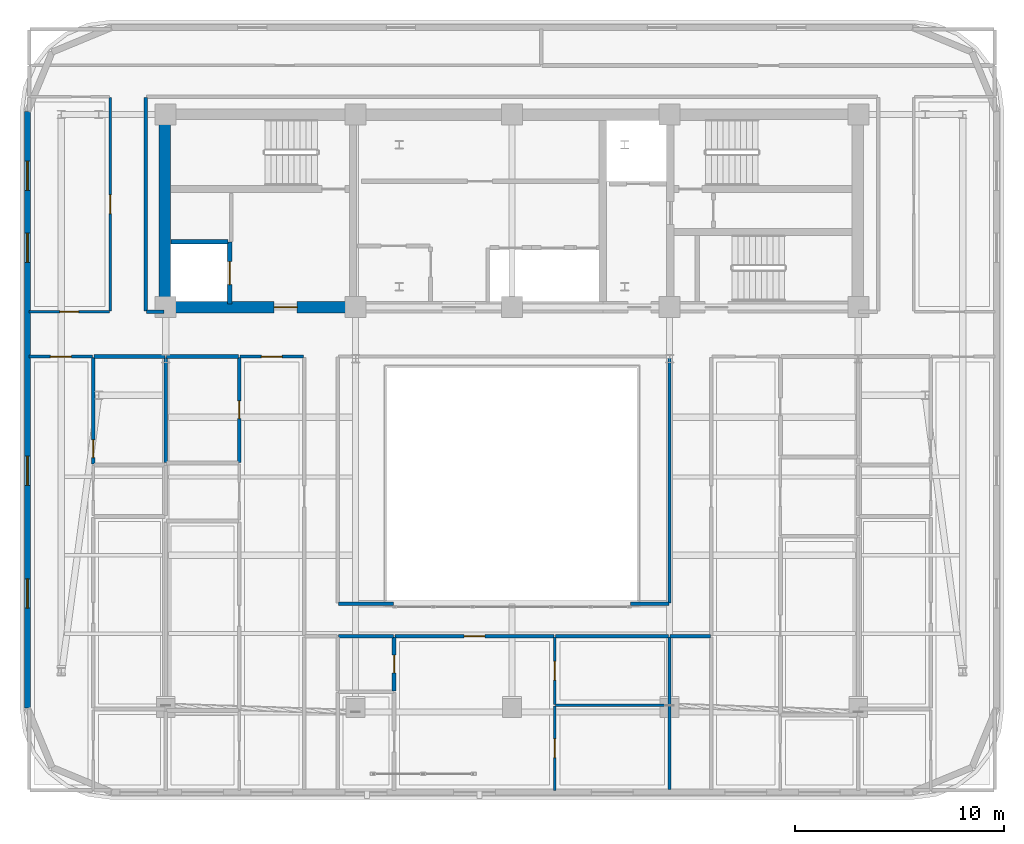
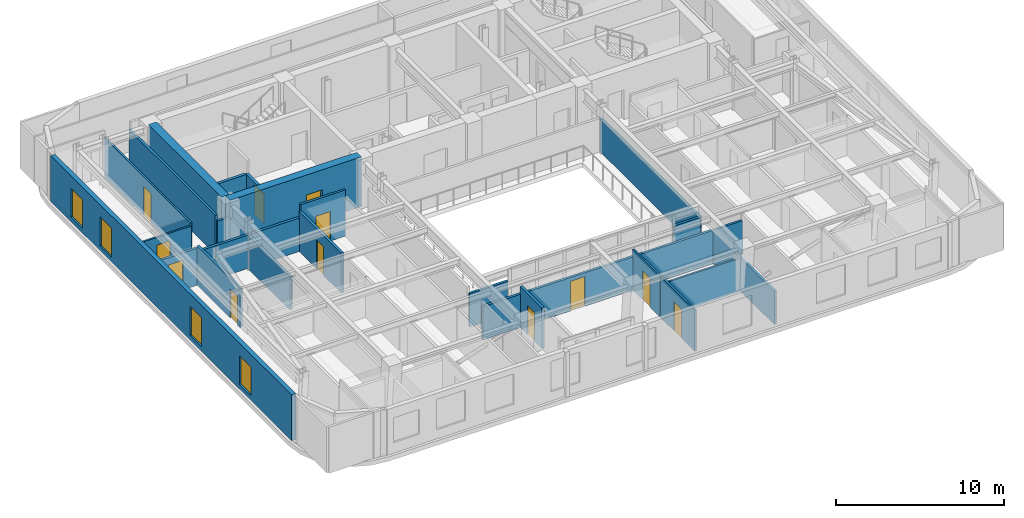
# One storey, part 7 of 14: 29 walls, 12 doors, 4 windows, 16 openings.
"""IFC4 building model written with IfcOpenShell, lengths in metres."""

from ifc_helpers import new_model, si_unit, direction, frame, frame_2d, origin, place, context, subcontext, project, spatial, rectangle, extrude, material, layer, layer_set, type_object, element, fill, save


model = new_model("IFC4")

# Units and contexts
model_context = context("Model", 3, precision=1e-05, world=origin(), true_north=direction((0.0, 1.0)))
body_context = subcontext(model_context, "Body", "Model", "MODEL_VIEW")
ifc_project = project(units=[si_unit("LENGTHUNIT", "METRE"), si_unit("AREAUNIT", "SQUARE_METRE"), si_unit("VOLUMEUNIT", "CUBIC_METRE"), si_unit("PLANEANGLEUNIT", "RADIAN"), si_unit("MASSUNIT", "GRAM", prefix="KILO")], contexts=[model_context])

# Site, building, storey
site_placement = place(None, origin())
site = spatial("IfcSite", under=ifc_project, at=site_placement, CompositionType="ELEMENT")
building_placement = place(site_placement, origin())
building = spatial("IfcBuilding", under=site, at=building_placement, Name="Zarnavel Station Tower", CompositionType="ELEMENT")
storey_placement = place(building_placement, frame((0.0, 0.0, 193.199951171875)))
storey = spatial("IfcBuildingStorey", under=building, at=storey_placement, Name="L52", CompositionType="ELEMENT", Elevation=193.199951171875)

# Wall, opening, door
ifc_material_1 = material(Name="Concrete C50/60", Category="concrete")
ifc_layer_1 = layer(ifc_material_1, 0.550048828125)
ifc_layer_set_1 = layer_set([ifc_layer_1], Name="CW_550")
wall_type_1 = type_object("IfcWallType", Name="CW_550", PredefinedType="SHEAR", material=ifc_layer_set_1)
wall_1_placement = place(storey_placement, frame((21.179931640625, 27.820068359375, 0.0), z_axis=(0.0, 0.0, 1.0), x_axis=(-1.0, 0.0, 0.0)))
wall_1 = element("IfcWall", 1, at=wall_1_placement, inside=storey, type_object=wall_type_1, Name="L52 Rear Core Shear Wall S-W", PredefinedType="SHEAR", context=body_context, shape_type="SweptSolid", body=[
    extrude(rectangle(XDim=9.030029296875, YDim=0.550048828125, at=frame_2d((4.51513671875, 0.0))), origin(), (0.0, 0.0, 1.0), 3.60009765625),
])
opening_1_placement = place(wall_1_placement, frame((2.679931640625, 0.0, 0.0)))
opening_1 = element("IfcOpeningElement", 2, at=opening_1_placement, cuts=wall_1, Name="Opening FD01", PredefinedType="OPENING", context=body_context, shape_type="SweptSolid", body=[
    extrude(rectangle(XDim=1.10009765625, YDim=2.14990234375, at=frame_2d((0.550048828125, 1.074951171875))), frame((0.0, 0.284912109375, 0.0), z_axis=(0.0, -1.0, 0.0), x_axis=(1.0, 0.0, 0.0)), (0.0, 0.0, 1.0), 0.570068359375),
])
ifc_material_2 = material(Name="Painted Galvanised Steel and Hardwood Leaf", Category="steel")
door_type_1 = type_object("IfcDoorType", Name="ID_STAIR_1100", OperationType="NOTDEFINED", PredefinedType="DOOR", material=ifc_material_2)
door_1_placement = place(opening_1_placement, origin())
door_1 = element("IfcDoor", 3, at=door_1_placement, inside=storey, type_object=door_type_1, Name="L52 West Firefighting Lobby Door", OperationType="SINGLE_SWING_RIGHT", OverallHeight=2.14990234375, OverallWidth=1.10009765625, PredefinedType="DOOR", context=body_context, shape_type="SweptSolid", body=[
    extrude(rectangle(XDim=1.10009765625, YDim=2.14990234375, at=frame_2d((0.550048828125, 1.074951171875))), frame((0.0, 0.02490234375, 0.0), z_axis=(0.0, -1.0, 0.0), x_axis=(1.0, 0.0, 0.0)), (0.0, 0.0, 1.0), 0.050048828125),
])
fill(opening_1, door_1)

# Wall
wall_2_placement = place(storey_placement, frame((12.14990234375, 28.094970703125, 0.0), z_axis=(0.0, 0.0, 1.0), x_axis=(0.0, 1.0, 0.0)))
element("IfcWall", 4, at=wall_2_placement, inside=storey, type_object=wall_type_1, Name="L52 Rear Core Shear Wall W", PredefinedType="SHEAR", context=body_context, shape_type="SweptSolid", body=[
    extrude(rectangle(XDim=8.679931640625, YDim=0.550048828125, at=frame_2d((4.33984375, 0.0))), origin(), (0.0, 0.0, 1.0), 3.60009765625),
])

# Wall, openings, windows
ifc_material_3 = material(Name="Precast concrete C45/55 (Dark Basalt Finish)", Category="masonry")
ifc_layer_2 = layer(ifc_material_3, 0.300048828125)
ifc_layer_set_2 = layer_set([ifc_layer_2], Name="EW_BASALT_300")
wall_type_2 = type_object("IfcWallType", Name="EW_BASALT_300", PredefinedType="SOLIDWALL", material=ifc_layer_set_2)
wall_3_placement = place(storey_placement, frame((5.580078125, 8.60009765625, 0.0), z_axis=(0.0, 0.0, 1.0), x_axis=(0.0, 1.0, 0.0)))
wall_3 = element("IfcWall", 5, at=wall_3_placement, inside=storey, type_object=wall_type_2, Name="L52 Exterior Basalt Masonry Frame Wall 09", PredefinedType="SOLIDWALL", context=body_context, shape_type="SweptSolid", body=[
    extrude(rectangle(XDim=28.599853515625, YDim=0.300048828125, at=frame_2d((14.2998046875, 0.0))), origin(), (0.0, 0.0, 1.0), 3.340087890625),
])
opening_2_placement = place(wall_3_placement, frame((21.360107421875, 0.0, 0.340087890625)))
opening_2 = element("IfcOpeningElement", 6, at=opening_2_placement, cuts=wall_3, Name="Opening WN04", PredefinedType="OPENING", context=body_context, shape_type="SweptSolid", body=[
    extrude(rectangle(XDim=1.39990234375, YDim=2.10009765625, at=frame_2d((0.699951171875, 1.050048828125))), frame((0.0, 0.159912109375, 0.0), z_axis=(0.0, -1.0, 0.0), x_axis=(1.0, 0.0, 0.0)), (0.0, 0.0, 1.0), 0.320068359375),
])
opening_3_placement = place(wall_3_placement, frame((24.820068359375, 0.0, 0.340087890625)))
opening_3 = element("IfcOpeningElement", 7, at=opening_3_placement, cuts=wall_3, Name="Opening WN04", PredefinedType="OPENING", context=body_context, shape_type="SweptSolid", body=[
    extrude(rectangle(XDim=1.39990234375, YDim=2.10009765625, at=frame_2d((0.699951171875, 1.050048828125))), frame((0.0, 0.159912109375, 0.0), z_axis=(0.0, -1.0, 0.0), x_axis=(1.0, 0.0, 0.0)), (0.0, 0.0, 1.0), 0.320068359375),
])
opening_4_placement = place(wall_3_placement, frame((4.796630859375, 0.0, 0.340087890625)))
opening_4 = element("IfcOpeningElement", 8, at=opening_4_placement, cuts=wall_3, Name="Opening WN04", PredefinedType="OPENING", context=body_context, shape_type="SweptSolid", body=[
    extrude(rectangle(XDim=1.39990234375, YDim=2.10009765625, at=frame_2d((0.699951171875, 1.050048828125))), frame((0.0, 0.159912109375, 0.0), z_axis=(0.0, -1.0, 0.0), x_axis=(1.0, 0.0, 0.0)), (0.0, 0.0, 1.0), 0.320068359375),
])
opening_5_placement = place(wall_3_placement, frame((10.67333984375, 0.0, 0.340087890625)))
opening_5 = element("IfcOpeningElement", 9, at=opening_5_placement, cuts=wall_3, Name="Opening WN04", PredefinedType="OPENING", context=body_context, shape_type="SweptSolid", body=[
    extrude(rectangle(XDim=1.39990234375, YDim=2.10009765625, at=frame_2d((0.699951171875, 1.050048828125))), frame((0.0, 0.159912109375, 0.0), z_axis=(0.0, -1.0, 0.0), x_axis=(1.0, 0.0, 0.0)), (0.0, 0.0, 1.0), 0.320068359375),
])
ifc_material_4 = material(Name="Thermally Broken Black Aluminium and Low-E Dark Glass", Category="aluminium")
window_type = type_object("IfcWindowType", Name="WN_1400x2100", PartitioningType="DOUBLE_PANEL_VERTICAL", PredefinedType="WINDOW", material=ifc_material_4)
window_1_placement = place(opening_2_placement, origin())
window_1 = element("IfcWindow", 10, at=window_1_placement, inside=storey, type_object=window_type, Name="L52 Recessed Facade Window 01", OverallHeight=2.10009765625, OverallWidth=1.39990234375, PartitioningType="SINGLE_PANEL", PredefinedType="WINDOW", context=body_context, shape_type="SweptSolid", body=[
    extrude(rectangle(XDim=1.39990234375, YDim=2.10009765625, at=frame_2d((0.699951171875, 1.050048828125))), frame((0.0, 0.030029296875, 0.0), z_axis=(0.0, -1.0, 0.0), x_axis=(1.0, 0.0, 0.0)), (0.0, 0.0, 1.0), 0.06005859375),
])
fill(opening_2, window_1)
window_2_placement = place(opening_3_placement, origin())
window_2 = element("IfcWindow", 11, at=window_2_placement, inside=storey, type_object=window_type, Name="L52 Recessed Facade Window 02", OverallHeight=2.10009765625, OverallWidth=1.39990234375, PartitioningType="SINGLE_PANEL", PredefinedType="WINDOW", context=body_context, shape_type="SweptSolid", body=[
    extrude(rectangle(XDim=1.39990234375, YDim=2.10009765625, at=frame_2d((0.699951171875, 1.050048828125))), frame((0.0, 0.030029296875, 0.0), z_axis=(0.0, -1.0, 0.0), x_axis=(1.0, 0.0, 0.0)), (0.0, 0.0, 1.0), 0.06005859375),
])
fill(opening_3, window_2)
window_3_placement = place(opening_4_placement, origin())
window_3 = element("IfcWindow", 12, at=window_3_placement, inside=storey, type_object=window_type, Name="L52 Recessed Facade Window 03", OverallHeight=2.10009765625, OverallWidth=1.39990234375, PartitioningType="SINGLE_PANEL", PredefinedType="WINDOW", context=body_context, shape_type="SweptSolid", body=[
    extrude(rectangle(XDim=1.39990234375, YDim=2.10009765625, at=frame_2d((0.699951171875, 1.050048828125))), frame((0.0, 0.030029296875, 0.0), z_axis=(0.0, -1.0, 0.0), x_axis=(1.0, 0.0, 0.0)), (0.0, 0.0, 1.0), 0.06005859375),
])
fill(opening_4, window_3)
window_4_placement = place(opening_5_placement, origin())
window_4 = element("IfcWindow", 13, at=window_4_placement, inside=storey, type_object=window_type, Name="L52 Recessed Facade Window 04", OverallHeight=2.10009765625, OverallWidth=1.39990234375, PartitioningType="SINGLE_PANEL", PredefinedType="WINDOW", context=body_context, shape_type="SweptSolid", body=[
    extrude(rectangle(XDim=1.39990234375, YDim=2.10009765625, at=frame_2d((0.699951171875, 1.050048828125))), frame((0.0, 0.030029296875, 0.0), z_axis=(0.0, -1.0, 0.0), x_axis=(1.0, 0.0, 0.0)), (0.0, 0.0, 1.0), 0.06005859375),
])
fill(opening_5, window_4)

# Wall, opening, door
ifc_material_5 = material(Name="Gypsum Twin-Stud Acoustic Fire Partition", Category="concrete")
ifc_layer_3 = layer(ifc_material_5, 0.159912109375)
ifc_layer_set_3 = layer_set([ifc_layer_3], Name="PT_DEMISE_160")
wall_type_3 = type_object("IfcWallType", Name="PT_DEMISE_160", PredefinedType="PARTITIONING", material=ifc_layer_set_3)
wall_4_placement = place(storey_placement, frame((5.659912109375, 25.449951171875, 0.0), z_axis=(0.0, 0.0, 1.0), x_axis=(1.0, 0.0, 0.0)))
wall_4 = element("IfcWall", 14, at=wall_4_placement, inside=storey, type_object=wall_type_3, Name="L52 Partition COR-S-UW1LV", PredefinedType="PARTITIONING", context=body_context, shape_type="SweptSolid", body=[
    extrude(rectangle(XDim=3.0341796875, YDim=0.159912109375, at=frame_2d((1.51708984375, 0.0))), origin(), (0.0, 0.0, 1.0), 2.670166015625),
])
opening_6_placement = place(wall_4_placement, frame((1.01708984375, 0.0, 0.0)))
opening_6 = element("IfcOpeningElement", 15, at=opening_6_placement, cuts=wall_4, Name="Opening FD02", PredefinedType="OPENING", context=body_context, shape_type="SweptSolid", body=[
    extrude(rectangle(XDim=1.0, YDim=2.14990234375, at=frame_2d((0.5, 1.074951171875))), frame((0.0, 0.08984375, 0.0), z_axis=(0.0, -1.0, 0.0), x_axis=(1.0, 0.0, 0.0)), (0.0, 0.0, 1.0), 0.179931640625),
])
ifc_material_6 = material(Name="Painted Galvanised Steel and Hardwood Leaf", Category="steel")
door_type_2 = type_object("IfcDoorType", Name="ID_ENTRY_1000", OperationType="NOTDEFINED", PredefinedType="DOOR", material=ifc_material_6)
door_2_placement = place(opening_6_placement, origin())
door_2 = element("IfcDoor", 16, at=door_2_placement, inside=storey, type_object=door_type_2, Name="L52 Door COR-S-UW1LV", OperationType="SINGLE_SWING_RIGHT", OverallHeight=2.14990234375, OverallWidth=1.0, PredefinedType="DOOR", context=body_context, shape_type="SweptSolid", body=[
    extrude(rectangle(XDim=1.0, YDim=2.14990234375, at=frame_2d((0.5, 1.074951171875))), frame((0.0, 0.02490234375, 0.0), z_axis=(0.0, -1.0, 0.0), x_axis=(1.0, 0.0, 0.0)), (0.0, 0.0, 1.0), 0.050048828125),
])
fill(opening_6, door_2)

wall_5_placement = place(storey_placement, frame((15.764892578125, 25.449951171875, 0.0), z_axis=(0.0, 0.0, 1.0), x_axis=(1.0, 0.0, 0.0)))
wall_5 = element("IfcWall", 17, at=wall_5_placement, inside=storey, type_object=wall_type_3, Name="L52 Partition COR-S-UW2LV", PredefinedType="PARTITIONING", context=body_context, shape_type="SweptSolid", body=[
    extrude(rectangle(XDim=3.045166015625, YDim=0.159912109375, at=frame_2d((1.5224609375, 0.0))), origin(), (0.0, 0.0, 1.0), 3.340087890625),
])
opening_7_placement = place(wall_5_placement, frame((1.0224609375, 0.0, 0.0)))
opening_7 = element("IfcOpeningElement", 18, at=opening_7_placement, cuts=wall_5, Name="Opening FD02", PredefinedType="OPENING", context=body_context, shape_type="SweptSolid", body=[
    extrude(rectangle(XDim=1.0, YDim=2.14990234375, at=frame_2d((0.5, 1.074951171875))), frame((0.0, 0.08984375, 0.0), z_axis=(0.0, -1.0, 0.0), x_axis=(1.0, 0.0, 0.0)), (0.0, 0.0, 1.0), 0.179931640625),
])
door_3_placement = place(opening_7_placement, origin())
door_3 = element("IfcDoor", 19, at=door_3_placement, inside=storey, type_object=door_type_2, Name="L52 Door COR-S-UW2LV", OperationType="SINGLE_SWING_LEFT", OverallHeight=2.14990234375, OverallWidth=1.0, PredefinedType="DOOR", context=body_context, shape_type="SweptSolid", body=[
    extrude(rectangle(XDim=1.0, YDim=2.14990234375, at=frame_2d((0.5, 1.074951171875))), frame((0.0, 0.02490234375, 0.0), z_axis=(0.0, -1.0, 0.0), x_axis=(1.0, 0.0, 0.0)), (0.0, 0.0, 1.0), 0.050048828125),
])
fill(opening_7, door_3)

wall_6_placement = place(storey_placement, frame((23.18994140625, 12.050048828125, 0.0), z_axis=(0.0, 0.0, 1.0), x_axis=(1.0, 0.0, 0.0)))
wall_6 = element("IfcWall", 20, at=wall_6_placement, inside=storey, type_object=wall_type_3, Name="L52 Partition COR-AS-US1LV", PredefinedType="PARTITIONING", context=body_context, shape_type="SweptSolid", body=[
    extrude(rectangle(XDim=7.6201171875, YDim=0.159912109375, at=frame_2d((3.81005859375, 0.0))), origin(), (0.0, 0.0, 1.0), 2.420166015625),
])
opening_8_placement = place(wall_6_placement, frame((3.31005859375, 0.0, 0.0)))
opening_8 = element("IfcOpeningElement", 21, at=opening_8_placement, cuts=wall_6, Name="Opening FD02", PredefinedType="OPENING", context=body_context, shape_type="SweptSolid", body=[
    extrude(rectangle(XDim=1.0, YDim=2.14990234375, at=frame_2d((0.5, 1.074951171875))), frame((0.0, 0.08984375, 0.0), z_axis=(0.0, -1.0, 0.0), x_axis=(1.0, 0.0, 0.0)), (0.0, 0.0, 1.0), 0.179931640625),
])
door_4_placement = place(opening_8_placement, origin())
door_4 = element("IfcDoor", 22, at=door_4_placement, inside=storey, type_object=door_type_2, Name="L52 Door COR-AS-US1LV", OperationType="SINGLE_SWING_RIGHT", OverallHeight=2.14990234375, OverallWidth=1.0, PredefinedType="DOOR", context=body_context, shape_type="SweptSolid", body=[
    extrude(rectangle(XDim=1.0, YDim=2.14990234375, at=frame_2d((0.5, 1.074951171875))), frame((0.0, 0.02490234375, 0.0), z_axis=(0.0, -1.0, 0.0), x_axis=(1.0, 0.0, 0.0)), (0.0, 0.0, 1.0), 0.050048828125),
])
fill(opening_8, door_4)

# Walls
wall_7_placement = place(storey_placement, frame((30.889892578125, 12.050048828125, 0.0), z_axis=(0.0, 0.0, 1.0), x_axis=(1.0, 0.0, 0.0)))
element("IfcWall", 23, at=wall_7_placement, inside=storey, type_object=wall_type_3, Name="L52 Partition COR-AS-US1B2", PredefinedType="PARTITIONING", context=body_context, shape_type="SweptSolid", body=[
    extrude(rectangle(XDim=5.420166015625, YDim=0.159912109375, at=frame_2d((2.7099609375, 0.0))), origin(), (0.0, 0.0, 1.0), 2.420166015625),
])
wall_8_placement = place(storey_placement, frame((11.280029296875, 27.60009765625, 0.0), z_axis=(0.0, 0.0, 1.0), x_axis=(1.0, 0.0, 0.0)))
element("IfcWall", 24, at=wall_8_placement, inside=storey, type_object=wall_type_3, Name="L52 Enclosure Wall COR-S", PredefinedType="PARTITIONING", context=body_context, shape_type="SweptSolid", body=[
    extrude(rectangle(XDim=0.840087890625, YDim=0.159912109375, at=frame_2d((0.419921875, 0.0))), origin(), (0.0, 0.0, 1.0), 2.41015625),
])
wall_9_placement = place(storey_placement, frame((36.3798828125, 12.050048828125, 0.0), z_axis=(0.0, 0.0, 1.0), x_axis=(1.0, 0.0, 0.0)))
element("IfcWall", 25, at=wall_9_placement, inside=storey, type_object=wall_type_3, Name="L52 Enclosure Wall COR-AE", PredefinedType="PARTITIONING", context=body_context, shape_type="SweptSolid", body=[
    extrude(rectangle(XDim=1.940185546875, YDim=0.159912109375, at=frame_2d((0.97021484375, 0.0))), origin(), (0.0, 0.0, 1.0), 2.420166015625),
])
wall_10_placement = place(storey_placement, frame((36.35009765625, 13.6298828125, 0.0), z_axis=(0.0, 0.0, 1.0), x_axis=(0.0, 1.0, 0.0)))
element("IfcWall", 26, at=wall_10_placement, inside=storey, type_object=wall_type_3, Name="L52 Enclosure Wall COR-AE", PredefinedType="PARTITIONING", context=body_context, shape_type="SweptSolid", body=[
    extrude(rectangle(XDim=11.7900390625, YDim=0.159912109375, at=frame_2d((5.89501953125, 0.0))), origin(), (0.0, 0.0, 1.0), 2.420166015625),
])
wall_11_placement = place(storey_placement, frame((20.47998046875, 13.60009765625, 0.0), z_axis=(0.0, 0.0, 1.0), x_axis=(1.0, 0.0, 0.0)))
element("IfcWall", 27, at=wall_11_placement, inside=storey, type_object=wall_type_3, Name="L52 Enclosure Wall COR-AS", PredefinedType="PARTITIONING", context=body_context, shape_type="SweptSolid", body=[
    extrude(rectangle(XDim=2.64013671875, YDim=0.159912109375, at=frame_2d((1.320068359375, 0.0))), origin(), (0.0, 0.0, 1.0), 2.420166015625),
])
wall_12_placement = place(storey_placement, frame((34.47998046875, 13.60009765625, 0.0), z_axis=(0.0, 0.0, 1.0), x_axis=(1.0, 0.0, 0.0)))
element("IfcWall", 28, at=wall_12_placement, inside=storey, type_object=wall_type_3, Name="L52 Enclosure Wall COR-AS", PredefinedType="PARTITIONING", context=body_context, shape_type="SweptSolid", body=[
    extrude(rectangle(XDim=1.840087890625, YDim=0.159912109375, at=frame_2d((0.919921875, 0.0))), origin(), (0.0, 0.0, 1.0), 2.420166015625),
])
wall_13_placement = place(storey_placement, frame((11.25, 27.6298828125, 0.0), z_axis=(0.0, 0.0, 1.0), x_axis=(0.0, 1.0, 0.0)))
element("IfcWall", 29, at=wall_13_placement, inside=storey, type_object=wall_type_3, Name="L52 Enclosure Wall COR-W", PredefinedType="PARTITIONING", context=body_context, shape_type="SweptSolid", body=[
    extrude(rectangle(XDim=10.240234375, YDim=0.159912109375, at=frame_2d((5.1201171875, 0.0))), origin(), (0.0, 0.0, 1.0), 2.820068359375),
])
wall_14_placement = place(storey_placement, frame((36.35009765625, 4.68994140625, 0.0), z_axis=(0.0, 0.0, 1.0), x_axis=(0.0, 1.0, 0.0)))
element("IfcWall", 30, at=wall_14_placement, inside=storey, type_object=wall_type_3, Name="L52 Enclosure Wall US1B1", PredefinedType="PARTITIONING", context=body_context, shape_type="SweptSolid", body=[
    extrude(rectangle(XDim=4.01513671875, YDim=0.159912109375, at=frame_2d((2.007568359375, 0.0))), origin(), (0.0, 0.0, 1.0), 2.420166015625),
])
wall_15_placement = place(storey_placement, frame((36.35009765625, 8.764892578125, 0.0), z_axis=(0.0, 0.0, 1.0), x_axis=(0.0, 1.0, 0.0)))
element("IfcWall", 31, at=wall_15_placement, inside=storey, type_object=wall_type_3, Name="L52 Enclosure Wall US1B2", PredefinedType="PARTITIONING", context=body_context, shape_type="SweptSolid", body=[
    extrude(rectangle(XDim=3.255126953125, YDim=0.159912109375, at=frame_2d((1.62744140625, 0.0))), origin(), (0.0, 0.0, 1.0), 2.420166015625),
])

# Wall, opening, door
ifc_material_7 = material(Name="Gypsum Metal-Stud Interior Partition", Category="concrete")
ifc_layer_4 = layer(ifc_material_7, 0.1201171875)
ifc_layer_set_4 = layer_set([ifc_layer_4], Name="PT_ROOM_120")
wall_type_4 = type_object("IfcWallType", Name="PT_ROOM_120", PredefinedType="PARTITIONING", material=ifc_layer_set_4)
wall_16_placement = place(storey_placement, frame((5.659912109375, 27.60009765625, 0.0), z_axis=(0.0, 0.0, 1.0), x_axis=(1.0, 0.0, 0.0)))
wall_16 = element("IfcWall", 32, at=wall_16_placement, inside=storey, type_object=wall_type_4, Name="L52 Partition COR-S-FNW", PredefinedType="PARTITIONING", context=body_context, shape_type="SweptSolid", body=[
    extrude(rectangle(XDim=3.85009765625, YDim=0.1201171875, at=frame_2d((1.925048828125, 0.0))), origin(), (0.0, 0.0, 1.0), 2.670166015625),
])
opening_9_placement = place(wall_16_placement, frame((1.47509765625, 0.0, 0.0)))
opening_9 = element("IfcOpeningElement", 33, at=opening_9_placement, cuts=wall_16, Name="Opening ID01", PredefinedType="OPENING", context=body_context, shape_type="SweptSolid", body=[
    extrude(rectangle(XDim=0.89990234375, YDim=2.10009765625, at=frame_2d((0.449951171875, 1.050048828125))), frame((0.0, 0.070068359375, 0.0), z_axis=(0.0, -1.0, 0.0), x_axis=(1.0, 0.0, 0.0)), (0.0, 0.0, 1.0), 0.14013671875),
])
ifc_material_8 = material(Name="Painted Galvanised Steel and Hardwood Leaf", Category="steel")
door_type_3 = type_object("IfcDoorType", Name="ID_ROOM_900", OperationType="NOTDEFINED", PredefinedType="DOOR", material=ifc_material_8)
door_5_placement = place(opening_9_placement, origin())
door_5 = element("IfcDoor", 34, at=door_5_placement, inside=storey, type_object=door_type_3, Name="L52 Door COR-S-FNW", OperationType="SINGLE_SWING_RIGHT", OverallHeight=2.10009765625, OverallWidth=0.89990234375, PredefinedType="DOOR", context=body_context, shape_type="SweptSolid", body=[
    extrude(rectangle(XDim=0.89990234375, YDim=2.10009765625, at=frame_2d((0.449951171875, 1.050048828125))), frame((0.0, 0.02490234375, 0.0), z_axis=(0.0, -1.0, 0.0), x_axis=(1.0, 0.0, 0.0)), (0.0, 0.0, 1.0), 0.050048828125),
])
fill(opening_9, door_5)

wall_17_placement = place(storey_placement, frame((9.550048828125, 27.639892578125, 0.0), z_axis=(0.0, 0.0, 1.0), x_axis=(0.0, 1.0, 0.0)))
wall_17 = element("IfcWall", 35, at=wall_17_placement, inside=storey, type_object=wall_type_4, Name="L52 Partition COR-W-FNW", PredefinedType="PARTITIONING", context=body_context, shape_type="SweptSolid", body=[
    extrude(rectangle(XDim=10.22021484375, YDim=0.1201171875, at=frame_2d((5.110107421875, 0.0))), origin(), (0.0, 0.0, 1.0), 2.820068359375),
])
opening_10_placement = place(wall_17_placement, frame((4.659912109375, 0.0, 0.0)))
opening_10 = element("IfcOpeningElement", 36, at=opening_10_placement, cuts=wall_17, Name="Opening ID01", PredefinedType="OPENING", context=body_context, shape_type="SweptSolid", body=[
    extrude(rectangle(XDim=0.89990234375, YDim=2.10009765625, at=frame_2d((0.449951171875, 1.050048828125))), frame((0.0, 0.070068359375, 0.0), z_axis=(0.0, -1.0, 0.0), x_axis=(1.0, 0.0, 0.0)), (0.0, 0.0, 1.0), 0.14013671875),
])
door_6_placement = place(opening_10_placement, origin())
door_6 = element("IfcDoor", 37, at=door_6_placement, inside=storey, type_object=door_type_3, Name="L52 Door COR-W-FNW", OperationType="SINGLE_SWING_LEFT", OverallHeight=2.10009765625, OverallWidth=0.89990234375, PredefinedType="DOOR", context=body_context, shape_type="SweptSolid", body=[
    extrude(rectangle(XDim=0.89990234375, YDim=2.10009765625, at=frame_2d((0.449951171875, 1.050048828125))), frame((0.0, 0.02490234375, 0.0), z_axis=(0.0, -1.0, 0.0), x_axis=(1.0, 0.0, 0.0)), (0.0, 0.0, 1.0), 0.050048828125),
])
fill(opening_10, door_6)

wall_18_placement = place(storey_placement, frame((30.85009765625, 4.659912109375, 0.0), z_axis=(0.0, 0.0, 1.0), x_axis=(0.0, 1.0, 0.0)))
wall_18 = element("IfcWall", 38, at=wall_18_placement, inside=storey, type_object=wall_type_4, Name="L52 Partition US1LV-US1B1", PredefinedType="PARTITIONING", context=body_context, shape_type="SweptSolid", body=[
    extrude(rectangle(XDim=4.03515625, YDim=0.1201171875, at=frame_2d((2.017578125, 0.0))), origin(), (0.0, 0.0, 1.0), 3.0),
])
opening_11_placement = place(wall_18_placement, frame((1.5673828125, 0.0, 0.0)))
opening_11 = element("IfcOpeningElement", 39, at=opening_11_placement, cuts=wall_18, Name="Opening ID01", PredefinedType="OPENING", context=body_context, shape_type="SweptSolid", body=[
    extrude(rectangle(XDim=0.89990234375, YDim=2.10009765625, at=frame_2d((0.449951171875, 1.050048828125))), frame((0.0, 0.070068359375, 0.0), z_axis=(0.0, -1.0, 0.0), x_axis=(1.0, 0.0, 0.0)), (0.0, 0.0, 1.0), 0.14013671875),
])
door_7_placement = place(opening_11_placement, origin())
door_7 = element("IfcDoor", 40, at=door_7_placement, inside=storey, type_object=door_type_3, Name="L52 Door US1LV-US1B1", OperationType="SINGLE_SWING_LEFT", OverallHeight=2.10009765625, OverallWidth=0.89990234375, PredefinedType="DOOR", context=body_context, shape_type="SweptSolid", body=[
    extrude(rectangle(XDim=0.89990234375, YDim=2.10009765625, at=frame_2d((0.449951171875, 1.050048828125))), frame((0.0, 0.02490234375, 0.0), z_axis=(0.0, -1.0, 0.0), x_axis=(1.0, 0.0, 0.0)), (0.0, 0.0, 1.0), 0.050048828125),
])
fill(opening_11, door_7)

wall_19_placement = place(storey_placement, frame((30.85009765625, 8.77490234375, 0.0), z_axis=(0.0, 0.0, 1.0), x_axis=(0.0, 1.0, 0.0)))
wall_19 = element("IfcWall", 41, at=wall_19_placement, inside=storey, type_object=wall_type_4, Name="L52 Partition US1LV-US1B2", PredefinedType="PARTITIONING", context=body_context, shape_type="SweptSolid", body=[
    extrude(rectangle(XDim=3.235107421875, YDim=0.1201171875, at=frame_2d((1.61767578125, 0.0))), origin(), (0.0, 0.0, 1.0), 2.9599609375),
])
opening_12_placement = place(wall_19_placement, frame((1.16748046875, 0.0, 0.0)))
opening_12 = element("IfcOpeningElement", 42, at=opening_12_placement, cuts=wall_19, Name="Opening ID01", PredefinedType="OPENING", context=body_context, shape_type="SweptSolid", body=[
    extrude(rectangle(XDim=0.89990234375, YDim=2.10009765625, at=frame_2d((0.449951171875, 1.050048828125))), frame((0.0, 0.070068359375, 0.0), z_axis=(0.0, -1.0, 0.0), x_axis=(1.0, 0.0, 0.0)), (0.0, 0.0, 1.0), 0.14013671875),
])
door_8_placement = place(opening_12_placement, origin())
door_8 = element("IfcDoor", 43, at=door_8_placement, inside=storey, type_object=door_type_3, Name="L52 Door US1LV-US1B2", OperationType="SINGLE_SWING_RIGHT", OverallHeight=2.10009765625, OverallWidth=0.89990234375, PredefinedType="DOOR", context=body_context, shape_type="SweptSolid", body=[
    extrude(rectangle(XDim=0.89990234375, YDim=2.10009765625, at=frame_2d((0.449951171875, 1.050048828125))), frame((0.0, 0.02490234375, 0.0), z_axis=(0.0, -1.0, 0.0), x_axis=(1.0, 0.0, 0.0)), (0.0, 0.0, 1.0), 0.050048828125),
])
fill(opening_12, door_8)

# Wall
wall_20_placement = place(storey_placement, frame((30.889892578125, 8.735107421875, 0.0), z_axis=(0.0, 0.0, 1.0), x_axis=(1.0, 0.0, 0.0)))
element("IfcWall", 44, at=wall_20_placement, inside=storey, type_object=wall_type_4, Name="L52 Partition US1B1-US1B2", PredefinedType="PARTITIONING", context=body_context, shape_type="SweptSolid", body=[
    extrude(rectangle(XDim=5.420166015625, YDim=0.1201171875, at=frame_2d((2.7099609375, 0.0))), origin(), (0.0, 0.0, 1.0), 2.420166015625),
])

# Wall, opening, door
ifc_material_9 = material(Name="Precast concrete C45/55 (Fire Shaft Blockwork)", Category="masonry")
ifc_layer_5 = layer(ifc_material_9, 0.199951171875)
ifc_layer_set_5 = layer_set([ifc_layer_5], Name="PT_SHAFT_200")
wall_type_5 = type_object("IfcWallType", Name="PT_SHAFT_200", PredefinedType="PARTITIONING", material=ifc_layer_set_5)
wall_21_placement = place(storey_placement, frame((15.27001953125, 27.969970703125, 0.0), z_axis=(0.0, 0.0, 1.0), x_axis=(0.0, 1.0, 0.0)))
wall_21 = element("IfcWall", 45, at=wall_21_placement, inside=storey, type_object=wall_type_5, Name="L52 Lift FFL-01 Shaft Front Wall", PredefinedType="PARTITIONING", context=body_context, shape_type="SweptSolid", body=[
    extrude(rectangle(XDim=2.9599609375, YDim=0.199951171875, at=frame_2d((1.47998046875, 0.0))), origin(), (0.0, 0.0, 1.0), 2.41015625),
])
opening_13_placement = place(wall_21_placement, frame((0.929931640625, 0.0, 0.0)))
opening_13 = element("IfcOpeningElement", 46, at=opening_13_placement, cuts=wall_21, Name="Opening LD01", PredefinedType="OPENING", context=body_context, shape_type="SweptSolid", body=[
    extrude(rectangle(XDim=1.10009765625, YDim=2.14990234375, at=frame_2d((0.550048828125, 1.074951171875))), frame((0.0, 0.10986328125, 0.0), z_axis=(0.0, -1.0, 0.0), x_axis=(1.0, 0.0, 0.0)), (0.0, 0.0, 1.0), 0.219970703125),
])
ifc_material_10 = material(Name="Painted Galvanised Steel and Hardwood Leaf", Category="steel")
door_type_4 = type_object("IfcDoorType", Name="LD_FF_1100", OperationType="DOUBLE_DOOR_SLIDING", PredefinedType="DOOR", material=ifc_material_10)
door_9_placement = place(opening_13_placement, origin())
door_9 = element("IfcDoor", 47, at=door_9_placement, inside=storey, type_object=door_type_4, Name="L52 Lift FFL-01 Sliding Landing Door", OperationType="DOUBLE_DOOR_SLIDING", OverallHeight=2.14990234375, OverallWidth=1.10009765625, PredefinedType="DOOR", context=body_context, shape_type="SweptSolid", body=[
    extrude(rectangle(XDim=1.10009765625, YDim=2.14990234375, at=frame_2d((0.550048828125, 1.074951171875))), frame((0.0, 0.02490234375, 0.0), z_axis=(0.0, -1.0, 0.0), x_axis=(1.0, 0.0, 0.0)), (0.0, 0.0, 1.0), 0.050048828125),
])
fill(opening_13, door_9)

# Walls
wall_22_placement = place(storey_placement, frame((12.449951171875, 30.949951171875, 0.0), z_axis=(0.0, 0.0, 1.0), x_axis=(1.0, 0.0, 0.0)))
element("IfcWall", 48, at=wall_22_placement, inside=storey, type_object=wall_type_5, Name="L52 Lift FFL-01 North Shaft Wall", PredefinedType="PARTITIONING", context=body_context, shape_type="SweptSolid", body=[
    extrude(rectangle(XDim=2.75, YDim=0.199951171875, at=frame_2d((1.375, 0.0))), origin(), (0.0, 0.0, 1.0), 2.41015625),
])
ifc_material_11 = material(Name="Moisture-Resistant Plumbing Chase Wall", Category="concrete")
ifc_layer_6 = layer(ifc_material_11, 0.179931640625)
ifc_layer_set_6 = layer_set([ifc_layer_6], Name="PW_PLUMB_180")
wall_type_6 = type_object("IfcWallType", Name="PW_PLUMB_180", PredefinedType="PLUMBINGWALL", material=ifc_layer_set_6)
wall_23_placement = place(storey_placement, frame((8.77392578125, 25.449951171875, 0.0), z_axis=(0.0, 0.0, 1.0), x_axis=(1.0, 0.0, 0.0)))
element("IfcWall", 49, at=wall_23_placement, inside=storey, type_object=wall_type_6, Name="L52 Partition COR-S-UW1BA", PredefinedType="PLUMBINGWALL", context=body_context, shape_type="SweptSolid", body=[
    extrude(rectangle(XDim=3.385986328125, YDim=0.179931640625, at=frame_2d((1.69287109375, 0.0))), origin(), (0.0, 0.0, 1.0), 2.420166015625),
])
wall_24_placement = place(storey_placement, frame((12.239990234375, 25.449951171875, 0.0), z_axis=(0.0, 0.0, 1.0), x_axis=(1.0, 0.0, 0.0)))
element("IfcWall", 50, at=wall_24_placement, inside=storey, type_object=wall_type_6, Name="L52 Partition COR-S-UW2BA", PredefinedType="PLUMBINGWALL", context=body_context, shape_type="SweptSolid", body=[
    extrude(rectangle(XDim=3.445068359375, YDim=0.179931640625, at=frame_2d((1.72265625, 0.0))), origin(), (0.0, 0.0, 1.0), 2.420166015625),
])
wall_25_placement = place(storey_placement, frame((20.489990234375, 12.050048828125, 0.0), z_axis=(0.0, 0.0, 1.0), x_axis=(1.0, 0.0, 0.0)))
element("IfcWall", 51, at=wall_25_placement, inside=storey, type_object=wall_type_6, Name="L52 Partition COR-AS-US1BA", PredefinedType="PLUMBINGWALL", context=body_context, shape_type="SweptSolid", body=[
    extrude(rectangle(XDim=2.6201171875, YDim=0.179931640625, at=frame_2d((1.31005859375, 0.0))), origin(), (0.0, 0.0, 1.0), 2.420166015625),
])

# Wall, opening, door
wall_26_placement = place(storey_placement, frame((8.73388671875, 20.297119140625, 0.0), z_axis=(0.0, 0.0, 1.0), x_axis=(0.0, 1.0, 0.0)))
wall_26 = element("IfcWall", 52, at=wall_26_placement, inside=storey, type_object=wall_type_6, Name="L52 Partition UW1LV-UW1BA", PredefinedType="PLUMBINGWALL", context=body_context, shape_type="SweptSolid", body=[
    extrude(rectangle(XDim=5.11279296875, YDim=0.179931640625, at=frame_2d((2.556396484375, 0.0))), origin(), (0.0, 0.0, 1.0), 2.820068359375),
])
opening_14_placement = place(wall_26_placement, frame((0.305908203125, 0.0, 0.0)))
opening_14 = element("IfcOpeningElement", 53, at=opening_14_placement, cuts=wall_26, Name="Opening ID02", PredefinedType="OPENING", context=body_context, shape_type="SweptSolid", body=[
    extrude(rectangle(XDim=0.85009765625, YDim=2.10009765625, at=frame_2d((0.425048828125, 1.050048828125))), frame((0.0, 0.099853515625, 0.0), z_axis=(0.0, -1.0, 0.0), x_axis=(1.0, 0.0, 0.0)), (0.0, 0.0, 1.0), 0.199951171875),
])
ifc_material_12 = material(Name="Painted Galvanised Steel and Hardwood Leaf", Category="steel")
door_type_5 = type_object("IfcDoorType", Name="ID_BATH_850", OperationType="NOTDEFINED", PredefinedType="DOOR", material=ifc_material_12)
door_10_placement = place(opening_14_placement, origin())
door_10 = element("IfcDoor", 54, at=door_10_placement, inside=storey, type_object=door_type_5, Name="L52 Door UW1LV-UW1BA", OperationType="SINGLE_SWING_RIGHT", OverallHeight=2.10009765625, OverallWidth=0.85009765625, PredefinedType="DOOR", context=body_context, shape_type="SweptSolid", body=[
    extrude(rectangle(XDim=0.85009765625, YDim=2.10009765625, at=frame_2d((0.425048828125, 1.050048828125))), frame((0.0, 0.02490234375, 0.0), z_axis=(0.0, -1.0, 0.0), x_axis=(1.0, 0.0, 0.0)), (0.0, 0.0, 1.0), 0.050048828125),
])
fill(opening_14, door_10)

# Wall
wall_27_placement = place(storey_placement, frame((12.199951171875, 20.384033203125, 0.0), z_axis=(0.0, 0.0, 1.0), x_axis=(0.0, 1.0, 0.0)))
element("IfcWall", 55, at=wall_27_placement, inside=storey, type_object=wall_type_6, Name="L52 Partition UW1BA-UW2BA", PredefinedType="PLUMBINGWALL", context=body_context, shape_type="SweptSolid", body=[
    extrude(rectangle(XDim=5.02587890625, YDim=0.179931640625, at=frame_2d((2.512939453125, 0.0))), origin(), (0.0, 0.0, 1.0), 2.420166015625),
])

# Wall, opening, door
wall_28_placement = place(storey_placement, frame((15.72509765625, 20.384033203125, 0.0), z_axis=(0.0, 0.0, 1.0), x_axis=(0.0, 1.0, 0.0)))
wall_28 = element("IfcWall", 56, at=wall_28_placement, inside=storey, type_object=wall_type_6, Name="L52 Partition UW2LV-UW2BA", PredefinedType="PLUMBINGWALL", context=body_context, shape_type="SweptSolid", body=[
    extrude(rectangle(XDim=5.02587890625, YDim=0.179931640625, at=frame_2d((2.512939453125, 0.0))), origin(), (0.0, 0.0, 1.0), 2.880126953125),
])
opening_15_placement = place(wall_28_placement, frame((2.087890625, 0.0, 0.0)))
opening_15 = element("IfcOpeningElement", 57, at=opening_15_placement, cuts=wall_28, Name="Opening ID02", PredefinedType="OPENING", context=body_context, shape_type="SweptSolid", body=[
    extrude(rectangle(XDim=0.85009765625, YDim=2.10009765625, at=frame_2d((0.425048828125, 1.050048828125))), frame((0.0, 0.099853515625, 0.0), z_axis=(0.0, -1.0, 0.0), x_axis=(1.0, 0.0, 0.0)), (0.0, 0.0, 1.0), 0.199951171875),
])
door_11_placement = place(opening_15_placement, origin())
door_11 = element("IfcDoor", 58, at=door_11_placement, inside=storey, type_object=door_type_5, Name="L52 Door UW2LV-UW2BA", OperationType="SINGLE_SWING_RIGHT", OverallHeight=2.10009765625, OverallWidth=0.85009765625, PredefinedType="DOOR", context=body_context, shape_type="SweptSolid", body=[
    extrude(rectangle(XDim=0.85009765625, YDim=2.10009765625, at=frame_2d((0.425048828125, 1.050048828125))), frame((0.0, 0.02490234375, 0.0), z_axis=(0.0, -1.0, 0.0), x_axis=(1.0, 0.0, 0.0)), (0.0, 0.0, 1.0), 0.050048828125),
])
fill(opening_15, door_11)

wall_29_placement = place(storey_placement, frame((23.14990234375, 9.429931640625, 0.0), z_axis=(0.0, 0.0, 1.0), x_axis=(0.0, 1.0, 0.0)))
wall_29 = element("IfcWall", 59, at=wall_29_placement, inside=storey, type_object=wall_type_6, Name="L52 Partition US1LV-US1BA", PredefinedType="PLUMBINGWALL", context=body_context, shape_type="SweptSolid", body=[
    extrude(rectangle(XDim=2.580078125, YDim=0.179931640625, at=frame_2d((1.2900390625, 0.0))), origin(), (0.0, 0.0, 1.0), 2.9599609375),
])
opening_16_placement = place(wall_29_placement, frame((0.864990234375, 0.0, 0.0)))
opening_16 = element("IfcOpeningElement", 60, at=opening_16_placement, cuts=wall_29, Name="Opening ID02", PredefinedType="OPENING", context=body_context, shape_type="SweptSolid", body=[
    extrude(rectangle(XDim=0.85009765625, YDim=2.10009765625, at=frame_2d((0.425048828125, 1.050048828125))), frame((0.0, 0.099853515625, 0.0), z_axis=(0.0, -1.0, 0.0), x_axis=(1.0, 0.0, 0.0)), (0.0, 0.0, 1.0), 0.199951171875),
])
door_12_placement = place(opening_16_placement, origin())
door_12 = element("IfcDoor", 61, at=door_12_placement, inside=storey, type_object=door_type_5, Name="L52 Door US1LV-US1BA", OperationType="SINGLE_SWING_RIGHT", OverallHeight=2.10009765625, OverallWidth=0.85009765625, PredefinedType="DOOR", context=body_context, shape_type="SweptSolid", body=[
    extrude(rectangle(XDim=0.85009765625, YDim=2.10009765625, at=frame_2d((0.425048828125, 1.050048828125))), frame((0.0, 0.02490234375, 0.0), z_axis=(0.0, -1.0, 0.0), x_axis=(1.0, 0.0, 0.0)), (0.0, 0.0, 1.0), 0.050048828125),
])
fill(opening_16, door_12)

save(model, "model.ifc")
